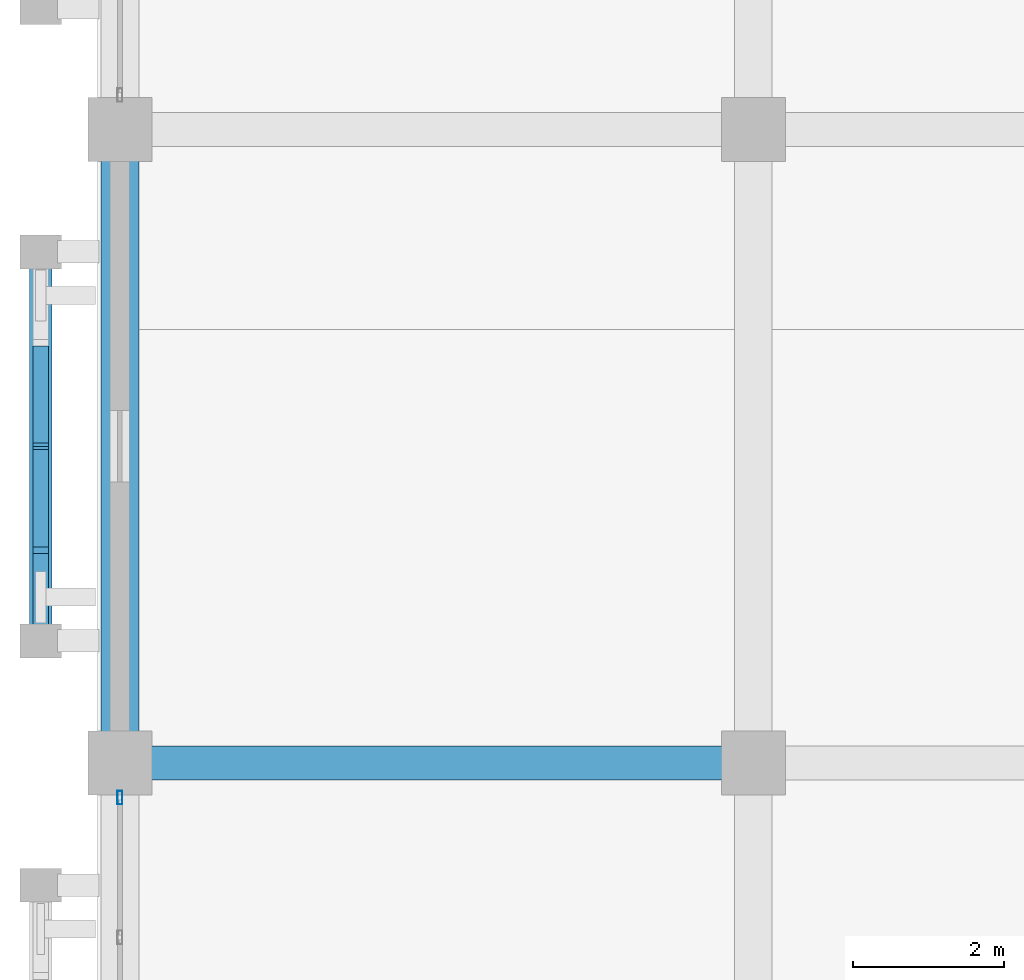
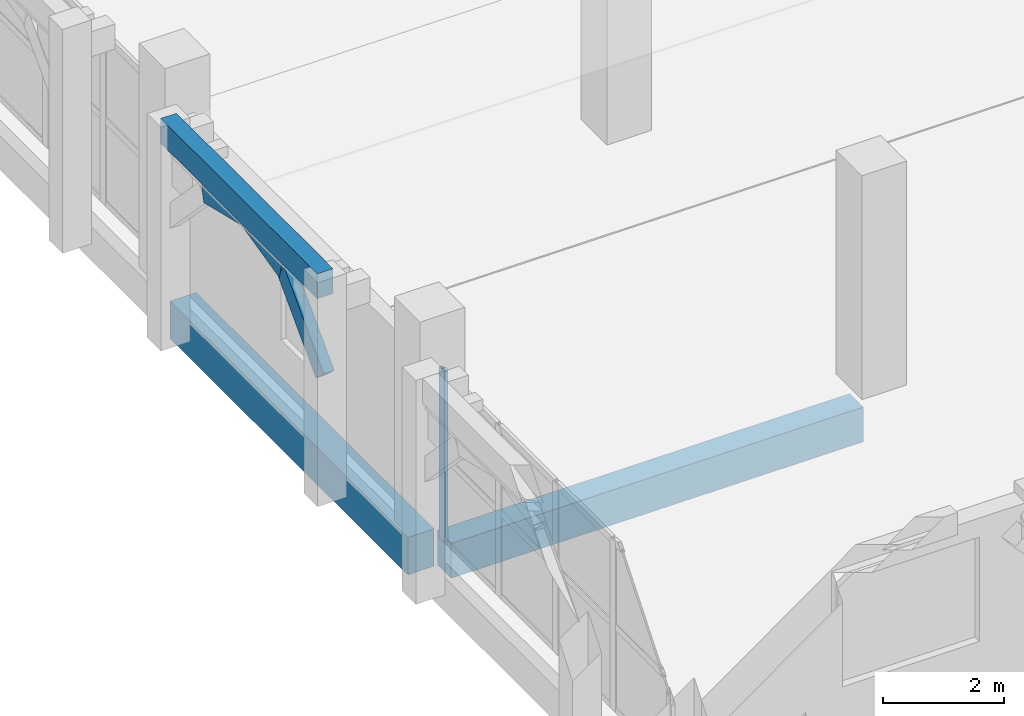
# One storey, part 10 of 137: 4 members, 3 beams, 1 element without a shape of its own.
"""IFC4 building model written with IfcOpenShell, lengths in metres."""

from ifc_helpers import new_model, si_unit, direction, frame, origin, origin_2d, place, context, subcontext, project, spatial, rectangle, hollow_rectangle, extrude, material, layer, layer_set, material_profile, profile_set, type_object, element, aggregate, save


model = new_model("IFC4")

# Units and contexts
model_context = context("Model", 3, precision=1e-05, world=origin(), true_north=direction((0.0, 1.0)))
body_context = subcontext(model_context, "Body", "Model", "MODEL_VIEW")
ifc_project = project(units=[si_unit("LENGTHUNIT", "METRE"), si_unit("AREAUNIT", "SQUARE_METRE"), si_unit("VOLUMEUNIT", "CUBIC_METRE"), si_unit("PLANEANGLEUNIT", "RADIAN"), si_unit("MASSUNIT", "GRAM", prefix="KILO")], contexts=[model_context])

# Site, building, storey
site_placement = place(None, origin())
site = spatial("IfcSite", under=ifc_project, at=site_placement, CompositionType="ELEMENT")
building_placement = place(site_placement, origin())
building = spatial("IfcBuilding", under=site, at=building_placement, Name="Xazarin Passage Department Store", CompositionType="ELEMENT")
storey_placement = place(building_placement, frame((0.0, 0.0, 5.39990234375)))
storey = spatial("IfcBuildingStorey", under=building, at=storey_placement, Name="L01", CompositionType="ELEMENT", Elevation=5.39990234375)

# Curtain wall, member
ifc_material_1 = material(Name="Bronze anodised aluminium", Category="aluminium")
ifc_layer = layer(ifc_material_1, 0.18994140625)
ifc_layer_set = layer_set([ifc_layer], Name="Bronze anodised aluminium")
curtain_wall_type = type_object("IfcCurtainWallType", Name="ARC-CW-FDH1", PredefinedType="NOTDEFINED", material=ifc_layer_set)
curtain_wall_placement = place(storey_placement, origin())
curtain_wall = element("IfcCurtainWall", 1, at=curtain_wall_placement, inside=storey, type_object=curtain_wall_type, Name="L01 V3 Curtain Wall 127", PredefinedType="NOTDEFINED")
ifc_material_profile_1 = material_profile(ifc_material_1, hollow_rectangle(XDim=0.06494140625, YDim=0.179931640625, WallThickness=0.00390625, at=origin_2d()), Name="ALU 65x180")
ifc_profile_set_1 = profile_set([ifc_material_profile_1], Name="Bronze anodised aluminium")
member_type_1 = type_object("IfcMemberType", Name="ARC-CWM-65x180", PredefinedType="MULLION", material=ifc_profile_set_1)
member_1_placement = place(storey_placement, frame((0.0, 24.742431640625, 0.0), z_axis=(0.0, 0.0, 1.0), x_axis=(-1.0, 0.0, 0.0)))
member_1 = element("IfcMember", 2, at=member_1_placement, type_object=member_type_1, Name="CW5 mullion 5", PredefinedType="MULLION", context=body_context, shape_type="SweptSolid", body=[
    extrude(hollow_rectangle(XDim=0.06494140625, YDim=0.179931640625, WallThickness=0.00390625, at=origin_2d()), origin(), (0.0, 0.0, 1.0), 3.43017578125),
])
aggregate(curtain_wall, [member_1])

# Beams
ifc_material_2 = material(Name="Concrete C35/45", Category="concrete")
ifc_material_profile_2 = material_profile(ifc_material_2, rectangle(XDim=0.449951171875, YDim=0.699951171875, at=origin_2d()), Name="RC 450x700")
ifc_profile_set_2 = profile_set([ifc_material_profile_2], Name="Concrete C35/45")
beam_type_1 = type_object("IfcBeamType", Name="STR-BM-G450x700", PredefinedType="BEAM", material=ifc_profile_set_2)
beam_1_placement = place(storey_placement, frame((0.280029296875, 25.199951171875, -0.669921875), z_axis=(1.0, 0.0, 0.0), x_axis=(0.0, 1.0, 0.0)))
element("IfcBeam", 3, at=beam_1_placement, inside=storey, type_object=beam_type_1, Name="L01 Grid Beam D/1-2", PredefinedType="BEAM", context=body_context, shape_type="SweptSolid", body=[
    extrude(rectangle(XDim=0.449951171875, YDim=0.699951171875, at=origin_2d()), origin(), (0.0, 0.0, 1.0), 7.840087890625),
])
ifc_material_profile_3 = material_profile(ifc_material_2, rectangle(XDim=0.300048828125, YDim=0.5, at=origin_2d()), Name="RC 300x500")
ifc_profile_set_3 = profile_set([ifc_material_profile_3], Name="Concrete C35/45")
beam_type_2 = type_object("IfcBeamType", Name="STR-BM-LN300x500", PredefinedType="LINTEL", material=ifc_profile_set_3)
beam_2_placement = place(storey_placement, frame((-1.050048828125, 26.820068359375, 4.25), z_axis=(0.0, 1.0, 0.0), x_axis=(-1.0, 0.0, 0.0)))
element("IfcBeam", 4, at=beam_2_placement, inside=storey, type_object=beam_type_2, Name="L01 V3 Colonnade Spandrel Beam 035", PredefinedType="LINTEL", context=body_context, shape_type="SweptSolid", body=[
    extrude(rectangle(XDim=0.300048828125, YDim=0.5, at=origin_2d()), origin(), (0.0, 0.0, 1.0), 5.159912109375),
])
ifc_material_profile_4 = material_profile(ifc_material_2, rectangle(XDim=0.5, YDim=0.75, at=origin_2d()), Name="RC 500x750")
ifc_profile_set_4 = profile_set([ifc_material_profile_4], Name="Concrete C35/45")
beam_type_3 = type_object("IfcBeamType", Name="STR-BM-SP500x750", PredefinedType="SPANDREL", material=ifc_profile_set_4)
beam_3_placement = place(storey_placement, frame((0.0, 25.47998046875, -0.69482421875), z_axis=(0.0, 1.0, 0.0), x_axis=(-1.0, 0.0, 0.0)))
element("IfcBeam", 5, at=beam_3_placement, inside=storey, type_object=beam_type_3, Name="L01 Grid Beam 1/D-E", PredefinedType="SPANDREL", context=body_context, shape_type="SweptSolid", body=[
    extrude(rectangle(XDim=0.5, YDim=0.75, at=origin_2d()), origin(), (0.0, 0.0, 1.0), 7.840087890625),
])

# Members
ifc_material_3 = material(Name="Concrete C40/50", Category="concrete")
ifc_material_profile_5 = material_profile(ifc_material_3, rectangle(XDim=0.199951171875, YDim=0.360107421875, at=origin_2d()), Name="RC 200x360")
ifc_profile_set_5 = profile_set([ifc_material_profile_5], Name="Concrete C40/50")
member_type_2 = type_object("IfcMemberType", Name="STR-MEM-ARC360", PredefinedType="CHORD", material=ifc_profile_set_5)
member_2_placement = place(storey_placement, frame((-1.050048828125, 26.820068359375, 2.43017578125), z_axis=(0.0, 0.693460080602, 0.720495049679), x_axis=(-1.0, 0.0, 0.0)))
element("IfcMember", 6, at=member_2_placement, inside=storey, type_object=member_type_2, Name="L01 V3 Pierced Lattice Curved Arch 035.1", PredefinedType="CHORD", context=body_context, shape_type="SweptSolid", body=[
    extrude(rectangle(XDim=0.199951171875, YDim=0.360107421875, at=origin_2d()), origin(), (0.0, 0.0, 1.0), 1.8603515625),
])
member_3_placement = place(storey_placement, frame((-1.050048828125, 28.110107421875, 3.7705078125), z_axis=(0.0, 0.972383960415, 0.233386875224), x_axis=(-1.0, 0.0, 0.0)))
element("IfcMember", 7, at=member_3_placement, inside=storey, type_object=member_type_2, Name="L01 V3 Pierced Lattice Curved Arch 035.2", PredefinedType="CHORD", context=body_context, shape_type="SweptSolid", body=[
    extrude(rectangle(XDim=0.199951171875, YDim=0.360107421875, at=origin_2d()), origin(), (0.0, 0.0, 1.0), 1.326416015625),
])
member_4_placement = place(storey_placement, frame((-1.050048828125, 29.39990234375, 4.080078125), z_axis=(0.0, 0.972393983317, -0.233345111818), x_axis=(-1.0, 0.0, 0.0)))
element("IfcMember", 8, at=member_4_placement, inside=storey, type_object=member_type_2, Name="L01 V3 Pierced Lattice Curved Arch 035.3", PredefinedType="CHORD", context=body_context, shape_type="SweptSolid", body=[
    extrude(rectangle(XDim=0.199951171875, YDim=0.360107421875, at=origin_2d()), origin(), (0.0, 0.0, 1.0), 1.32666015625),
])

save(model, "model.ifc")
